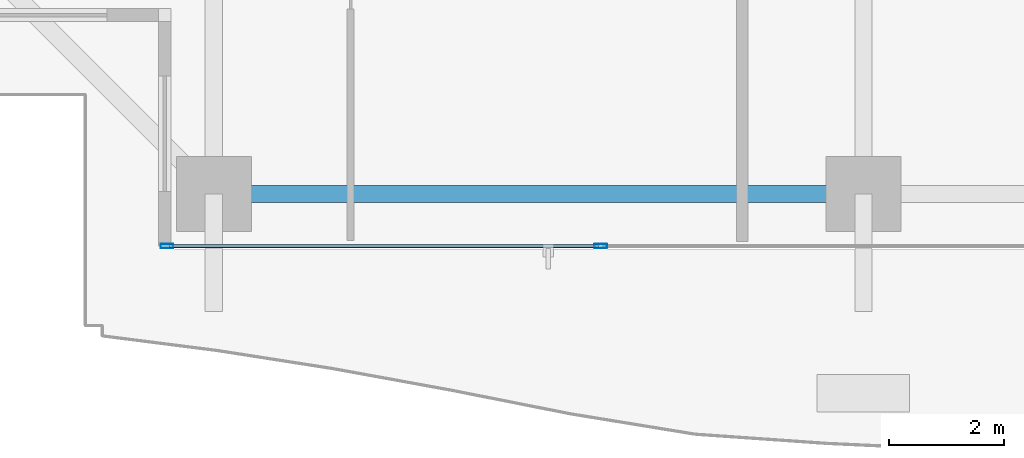
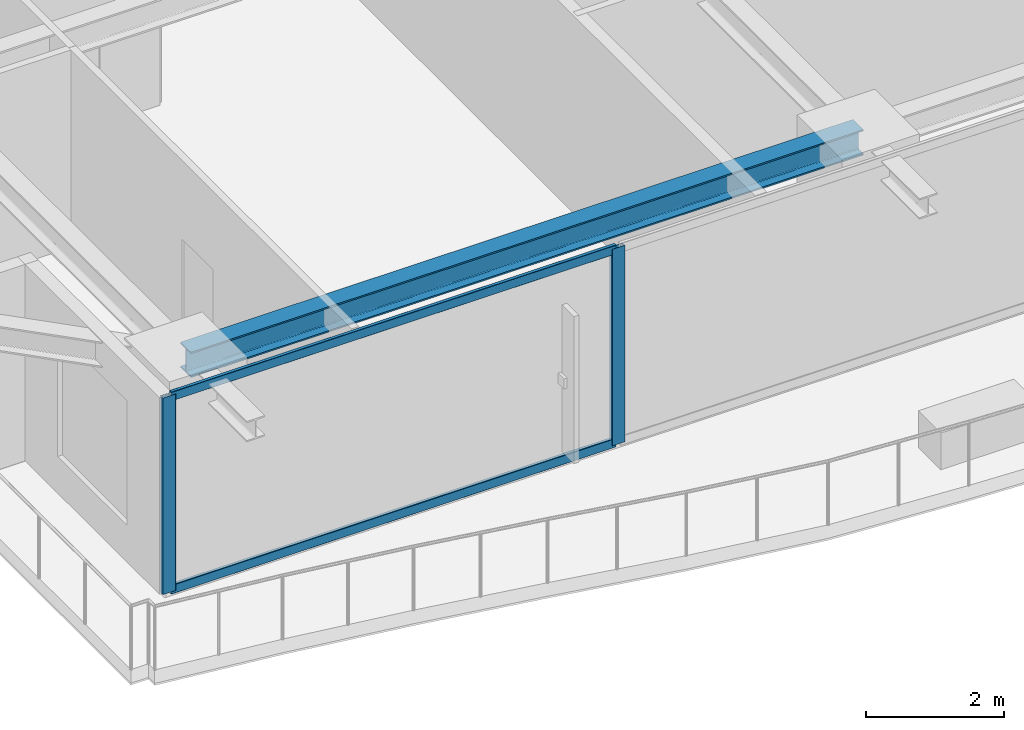
# One storey, part 2 of 35: 4 members, 1 beam, 1 element without a shape of its own.
"""IFC4 building model written with IfcOpenShell, lengths in metres."""

import ifcopenshell
import ifcopenshell.guid

model = None  # the IFC model being written
_history = None  # IfcOwnerHistory: only IFC2X3 demands one
_inside = {}  # id of a spatial element -> (the spatial element, [elements in it])
_under = {}  # id of a project, library or spatial element -> (it, [spatial elements below it])
_declared = {}  # id of a project -> (the project, [libraries it declares])
_typed = {}  # id of a type object -> (the type object, [elements of that type])
_made_of = {}  # id of a material, layer set ... -> (it, [elements and type objects made of it])


def new_model(schema):
    """Start an empty IFC model of exactly this schema.

    Asked for "IFC4X3", IfcOpenShell would pick the latest addendum, in which some entities
    have other attributes; the version numbers below select the first issue.
    IFC2X3 requires an IfcOwnerHistory on every rooted entity: one is made here for all.
    """
    global model, _history
    if schema == "IFC4X3":
        model = ifcopenshell.file(schema_version=(4, 3, 0, 0))
    else:
        model = ifcopenshell.file(schema=schema)
    _inside.clear()
    _under.clear()
    _declared.clear()
    _typed.clear()
    _made_of.clear()
    _history = None
    if model.schema == "IFC2X3":
        org = make("IfcOrganization", Name="unknown")
        user = make(
            "IfcPersonAndOrganization",
            ThePerson=make("IfcPerson", FamilyName="unknown"),
            TheOrganization=org,
        )
        app = make(
            "IfcApplication",
            ApplicationDeveloper=org,
            Version="unknown",
            ApplicationFullName="unknown",
            ApplicationIdentifier="unknown",
        )
        _history = make(
            "IfcOwnerHistory",
            OwningUser=user,
            OwningApplication=app,
            ChangeAction="ADDED",
            CreationDate=0,
        )
    return model


def make(cls, **values):
    """One entity of the class cls with the attributes given. An attribute that is None is left unset."""
    return model.create_entity(
        cls, **{name: value for name, value in values.items() if value is not None}
    )


def rooted(cls, **values):
    """An entity with a GlobalId (a new one), such as an element, a storey or a relation."""
    return make(cls, GlobalId=ifcopenshell.guid.new(), OwnerHistory=_history, **values)


def si_unit(unit_type, name, prefix=None):
    """IfcSIUnit, for example si_unit("LENGTHUNIT", "METRE", prefix="MILLI")."""
    return make("IfcSIUnit", UnitType=unit_type, Prefix=prefix, Name=name)


def assignment(units):
    """IfcUnitAssignment: the units of a project."""
    return None if units is None else make("IfcUnitAssignment", Units=units)


def point(xyz):
    """IfcCartesianPoint."""
    return None if xyz is None else make("IfcCartesianPoint", Coordinates=xyz)


def direction(xyz):
    """IfcDirection."""
    return None if xyz is None else make("IfcDirection", DirectionRatios=xyz)


def frame(location, z_axis=None, x_axis=None):
    """IfcAxis2Placement3D, a coordinate frame: its origin and axes. An axis left out is left unset."""
    return make(
        "IfcAxis2Placement3D",
        Location=point(location),
        Axis=direction(z_axis),
        RefDirection=direction(x_axis),
    )


def frame_2d(location, x_axis=None):
    """IfcAxis2Placement2D, a coordinate frame in the plane: its origin and x axis."""
    return make(
        "IfcAxis2Placement2D", Location=point(location), RefDirection=direction(x_axis)
    )


def origin():
    """The frame at (0, 0, 0) with its axes left unset."""
    return frame((0.0, 0.0, 0.0))


def origin_2d():
    """The frame at (0, 0) in the plane with its x axis left unset."""
    return frame_2d((0.0, 0.0))


def place(relative_to, where):
    """IfcLocalPlacement: puts the frame where relative to a parent placement (None: the world)."""
    return make(
        "IfcLocalPlacement", PlacementRelTo=relative_to, RelativePlacement=where
    )


def context(
    kind, dimensions, precision=None, world=None, true_north=None, identifier=None
):
    """IfcGeometricRepresentationContext, for example the 3D "Model" context."""
    return make(
        "IfcGeometricRepresentationContext",
        ContextIdentifier=identifier,
        ContextType=kind,
        CoordinateSpaceDimension=dimensions,
        Precision=precision,
        WorldCoordinateSystem=world,
        TrueNorth=true_north,
    )


def subcontext(parent, identifier, kind, view, scale=None):
    """IfcGeometricRepresentationSubContext, for example "Body" below "Model"."""
    return make(
        "IfcGeometricRepresentationSubContext",
        ContextIdentifier=identifier,
        ContextType=kind,
        ParentContext=parent,
        TargetScale=scale,
        TargetView=view,
    )


def project(units=None, contexts=None):
    """IfcProject with its units and contexts."""
    return rooted(
        "IfcProject",
        Name="project",
        RepresentationContexts=contexts,
        UnitsInContext=assignment(units),
    )


def spatial(cls, under=None, at=None, **own):
    """A site, building, storey or space (cls), placed at a placement, below another one or the project."""
    s = rooted(cls, ObjectPlacement=at, **own)
    if under is not None:
        _under.setdefault(under.id(), (under, []))[1].append(s)
    return s


def profile(cls, at=None, kind="AREA", **sizes):
    """A parametric profile (cls). Its sizes go by their IFC names, for example OverallWidth=200.0."""
    return make(cls, ProfileType=kind, Position=at, **sizes)


def hollow_rectangle(**sizes):
    """IfcRectangleHollowProfileDef."""
    return profile("IfcRectangleHollowProfileDef", **sizes)


def i_section(**sizes):
    """IfcIShapeProfileDef."""
    return profile("IfcIShapeProfileDef", **sizes)


def extrude(swept, where, along, depth):
    """IfcExtrudedAreaSolid: the profile swept, set in the frame where, extruded along a direction by depth."""
    return make(
        "IfcExtrudedAreaSolid",
        SweptArea=swept,
        Position=where,
        ExtrudedDirection=direction(along),
        Depth=depth,
    )


def shape(context_of_items, identifier, shape_type, items):
    """IfcShapeRepresentation: the items that make up one representation, for example the "Body"."""
    return make(
        "IfcShapeRepresentation",
        ContextOfItems=context_of_items,
        RepresentationIdentifier=identifier,
        RepresentationType=shape_type,
        Items=items,
    )


def source(mapping_origin, context_of_items, identifier, shape_type, items):
    """IfcRepresentationMap: a shape defined once, which mapped items show again and again."""
    return make(
        "IfcRepresentationMap",
        MappingOrigin=mapping_origin,
        MappedRepresentation=shape(context_of_items, identifier, shape_type, items),
    )


def transform(
    local_origin,
    x_axis=None,
    y_axis=None,
    z_axis=None,
    scale=None,
    scale2=None,
    scale3=None,
    uniform=True,
):
    """IfcCartesianTransformationOperator3D, or its non-uniform kind. x_axis, y_axis, z_axis: its Axis1, 2, 3."""
    if uniform:
        return make(
            "IfcCartesianTransformationOperator3D",
            Axis1=direction(x_axis),
            Axis2=direction(y_axis),
            LocalOrigin=point(local_origin),
            Scale=scale,
            Axis3=direction(z_axis),
        )
    return make(
        "IfcCartesianTransformationOperator3DnonUniform",
        Axis1=direction(x_axis),
        Axis2=direction(y_axis),
        LocalOrigin=point(local_origin),
        Scale=scale,
        Axis3=direction(z_axis),
        Scale2=scale2,
        Scale3=scale3,
    )


def mapped(mapping_source, mapping_target):
    """IfcMappedItem: shows the shape of a source again, moved by a transform."""
    return make(
        "IfcMappedItem", MappingSource=mapping_source, MappingTarget=mapping_target
    )


def material(Name=None, Category=None):
    """IfcMaterial."""
    return make("IfcMaterial", Name=Name, Category=Category)


def layer(
    of_material, thickness, ventilated=None, Name=None, Category=None, Priority=None
):
    """IfcMaterialLayer: one layer of a wall or slab, of a material (None: an air gap)."""
    return make(
        "IfcMaterialLayer",
        Material=of_material,
        LayerThickness=thickness,
        IsVentilated=ventilated,
        Name=Name,
        Category=Category,
        Priority=Priority,
    )


def layer_set(layers, Name=None):
    """IfcMaterialLayerSet."""
    return make("IfcMaterialLayerSet", MaterialLayers=layers, LayerSetName=Name)


def material_profile(
    of_material, cross_section, Name=None, Category=None, Priority=None
):
    """IfcMaterialProfile: a cross section and its material."""
    return make(
        "IfcMaterialProfile",
        Name=Name,
        Material=of_material,
        Profile=cross_section,
        Priority=Priority,
        Category=Category,
    )


def profile_set(profiles, Name=None, composite=None):
    """IfcMaterialProfileSet."""
    return make(
        "IfcMaterialProfileSet",
        Name=Name,
        MaterialProfiles=profiles,
        CompositeProfile=composite,
    )


def made_of(thing, what):
    """Note that an element or type object is made of a material, layer set ...; save() writes the relation."""
    if what is not None:
        _made_of.setdefault(what.id(), (what, []))[1].append(thing)
    return thing


def type_object(cls, material=None, **own):
    """A type object (cls), such as IfcWallType, which elements share."""
    return made_of(rooted(cls, **own), material)


def element(
    cls,
    number,
    at=None,
    inside=None,
    cuts=None,
    type_object=None,
    material=None,
    context=None,
    identifier="Body",
    shape_type=None,
    held_by="IfcProductDefinitionShape",
    body=None,
    shapes=None,
    **own,
):
    """One element of the class cls, such as IfcWall. Its Tag is "e" and its number.

    at: its placement. inside: the storey or other place that contains it. cuts: it is an
    opening in that element (IfcRelVoidsElement). A single representation is given by context,
    identifier, shape_type and body (its items); several are given by shapes. held_by: the class
    of the entity that holds the representations. save() writes the other relations.
    """
    e = rooted(cls, Tag="e%d" % number, ObjectPlacement=at, **own)
    if body is not None:
        shapes = [shape(context, identifier, shape_type, body)]
    if shapes is not None:
        e.Representation = make(held_by, Representations=shapes)
    if inside is not None:
        _inside.setdefault(inside.id(), (inside, []))[1].append(e)
    if cuts is not None:
        rooted(
            "IfcRelVoidsElement", RelatingBuildingElement=cuts, RelatedOpeningElement=e
        )
    if type_object is not None:
        _typed.setdefault(type_object.id(), (type_object, []))[1].append(e)
    return made_of(e, material)


def aggregate(whole, parts):
    """IfcRelAggregates: a whole, such as a stair, and the parts it consists of."""
    return rooted("IfcRelAggregates", RelatingObject=whole, RelatedObjects=parts)


def save(model, path):
    """Write the relations noted so far, then the file.

    IfcRelAggregates (storeys below a building ...), IfcRelContainedInSpatialStructure (elements
    in a storey), IfcRelDefinesByType, IfcRelAssociatesMaterial and IfcRelDeclares: one each for
    every whole, place, type object, material and project.
    """
    for whole, parts in _under.values():
        aggregate(whole, parts)
    for where, things in _inside.values():
        rooted(
            "IfcRelContainedInSpatialStructure",
            RelatedElements=things,
            RelatingStructure=where,
        )
    for kind, things in _typed.values():
        rooted("IfcRelDefinesByType", RelatedObjects=things, RelatingType=kind)
    for what, things in _made_of.values():
        rooted("IfcRelAssociatesMaterial", RelatedObjects=things, RelatingMaterial=what)
    for by, libraries in _declared.values():
        rooted("IfcRelDeclares", RelatingContext=by, RelatedDefinitions=libraries)
    model.write(path)


model = new_model("IFC4")

# Units and contexts
model_context = context("Model", 3, precision=1e-05, world=origin(), true_north=direction((0.0, 1.0)))
body_context = subcontext(model_context, "Body", "Model", "MODEL_VIEW")
ifc_project = project(units=[si_unit("LENGTHUNIT", "METRE"), si_unit("AREAUNIT", "SQUARE_METRE"), si_unit("VOLUMEUNIT", "CUBIC_METRE"), si_unit("PLANEANGLEUNIT", "RADIAN"), si_unit("MASSUNIT", "GRAM", prefix="KILO")], contexts=[model_context])

# Site, building, storey
site_placement = place(None, origin())
site = spatial("IfcSite", under=ifc_project, at=site_placement, CompositionType="ELEMENT")
building_placement = place(site_placement, origin())
building = spatial("IfcBuilding", under=site, at=building_placement, Name="Serunith Strait Residences", CompositionType="ELEMENT")
storey_placement = place(building_placement, frame((0.0, 0.0, 191.39990234375)))
storey = spatial("IfcBuildingStorey", under=building, at=storey_placement, Name="L48", CompositionType="ELEMENT", Elevation=191.39990234375)

# Beam
ifc_material_1 = material(Name="Steel S355J2", Category="steel")
ifc_material_profile_1 = material_profile(ifc_material_1, i_section(OverallWidth=0.300048828125, OverallDepth=0.449951171875, WebThickness=0.013916015625, FlangeThickness=0.02587890625, FilletRadius=0.027099609375, at=origin_2d()), Name="HEB 450")
ifc_profile_set_1 = profile_set([ifc_material_profile_1], Name="Steel S355J2")
beam_type = type_object("IfcBeamType", Name="BM-HEB450", PredefinedType="BEAM", material=ifc_profile_set_1)
shared_shape_1 = source(origin(), body_context, "Body", "SweptSolid", [
    extrude(i_section(OverallWidth=0.300048828125, OverallDepth=0.449951171875, WebThickness=0.013916015625, FlangeThickness=0.02587890625, FilletRadius=0.027099609375, at=origin_2d()), origin(), (0.0, 0.0, 1.0), 11.25),
])
beam_placement = place(storey_placement, frame((16.64990234375, 2.300048828125, 3.26220703125), z_axis=(1.0, 0.0, 0.0), x_axis=(0.0, 1.0, 0.0)))
element("IfcBeam", 1, at=beam_placement, inside=storey, type_object=beam_type, Name="L48 Perimeter Ring Beam 01", PredefinedType="BEAM", context=body_context, shape_type="MappedRepresentation", body=[
    mapped(shared_shape_1, transform((0.0, 0.0, 0.0), scale=1.0)),
])

# Curtain wall, members
ifc_material_2 = material(Name="Pale-Silver PVDF Aluminium", Category="aluminium")
ifc_layer = layer(ifc_material_2, 0.199951171875, Name="Pale-Silver PVDF Aluminium")
ifc_layer_set = layer_set([ifc_layer], Name="Pale-Silver PVDF Aluminium")
curtain_wall_type = type_object("IfcCurtainWallType", Name="CW-SYS3", PredefinedType="NOTDEFINED", material=ifc_layer_set)
curtain_wall_placement = place(storey_placement, origin())
curtain_wall = element("IfcCurtainWall", 2, at=curtain_wall_placement, inside=storey, type_object=curtain_wall_type, Name="L48 S Unitised Fritted Curtain Wall", PredefinedType="NOTDEFINED")
ifc_material_profile_2 = material_profile(ifc_material_2, hollow_rectangle(XDim=0.074951171875, YDim=0.219970703125, WallThickness=0.00390625, InnerFilletRadius=0.006103515625, OuterFilletRadius=0.010009765625, at=origin_2d()), Name="ALU 220x75x4")
ifc_profile_set_2 = profile_set([ifc_material_profile_2], Name="Pale-Silver PVDF Aluminium")
member_type_1 = type_object("IfcMemberType", Name="CW-SYS3-MULL", PredefinedType="MULLION", material=ifc_profile_set_2)
shared_shape_2 = source(origin(), body_context, "Body", "SweptSolid", [
    extrude(hollow_rectangle(XDim=0.074951171875, YDim=0.219970703125, WallThickness=0.00390625, InnerFilletRadius=0.006103515625, OuterFilletRadius=0.010009765625, at=origin_2d()), origin(), (0.0, 0.0, 1.0), 3.47509765625),
])
member_1_placement = place(storey_placement, frame((15.83740234375, 1.39990234375, 0.0), z_axis=(0.0, 0.0, 1.0), x_axis=(0.0, 1.0, 0.0)))
member_1 = element("IfcMember", 3, at=member_1_placement, type_object=member_type_1, Name="CW-3 mullion 1", PredefinedType="MULLION", context=body_context, shape_type="MappedRepresentation", body=[
    mapped(shared_shape_2, transform((0.0, 0.0, 0.0), scale=1.0)),
])
member_2_placement = place(storey_placement, frame((23.35009765625, 1.39990234375, 0.0), z_axis=(0.0, 0.0, 1.0), x_axis=(0.0, 1.0, 0.0)))
member_2 = element("IfcMember", 4, at=member_2_placement, type_object=member_type_1, Name="CW-3 mullion 2", PredefinedType="MULLION", context=body_context, shape_type="MappedRepresentation", body=[
    mapped(shared_shape_2, transform((0.0, 0.0, 0.0), scale=1.0)),
])
ifc_material_profile_3 = material_profile(ifc_material_2, hollow_rectangle(XDim=0.06005859375, YDim=0.159912109375, WallThickness=0.00341796875, InnerFilletRadius=0.00537109375, OuterFilletRadius=0.0087890625, at=origin_2d()), Name="ALU 160x60x3.5")
ifc_profile_set_3 = profile_set([ifc_material_profile_3], Name="Pale-Silver PVDF Aluminium")
member_type_2 = type_object("IfcMemberType", Name="CW-SYS3-TRAN", PredefinedType="USERDEFINED", material=ifc_profile_set_3)
shared_shape_3 = source(origin(), body_context, "Body", "SweptSolid", [
    extrude(hollow_rectangle(XDim=0.06005859375, YDim=0.159912109375, WallThickness=0.00341796875, InnerFilletRadius=0.00537109375, OuterFilletRadius=0.0087890625, at=origin_2d()), origin(), (0.0, 0.0, 1.0), 7.4375),
])
member_3_placement = place(storey_placement, frame((15.875, 1.39990234375, 0.030029296875), z_axis=(1.0, 0.0, 0.0), x_axis=(0.0, 1.0, 0.0)))
member_3 = element("IfcMember", 5, at=member_3_placement, type_object=member_type_2, Name="CW-3 transom 1.1", ObjectType="TRANSOM", PredefinedType="USERDEFINED", context=body_context, shape_type="MappedRepresentation", body=[
    mapped(shared_shape_3, transform((0.0, 0.0, 0.0), scale=1.0)),
])
member_4_placement = place(storey_placement, frame((15.875, 1.39990234375, 3.445068359375), z_axis=(1.0, 0.0, 0.0), x_axis=(0.0, 1.0, 0.0)))
member_4 = element("IfcMember", 6, at=member_4_placement, type_object=member_type_2, Name="CW-3 transom 1.2", ObjectType="TRANSOM", PredefinedType="USERDEFINED", context=body_context, shape_type="MappedRepresentation", body=[
    mapped(shared_shape_3, transform((0.0, 0.0, 0.0), scale=1.0)),
])
aggregate(curtain_wall, [member_1, member_2, member_3, member_4])

save(model, "model.ifc")
